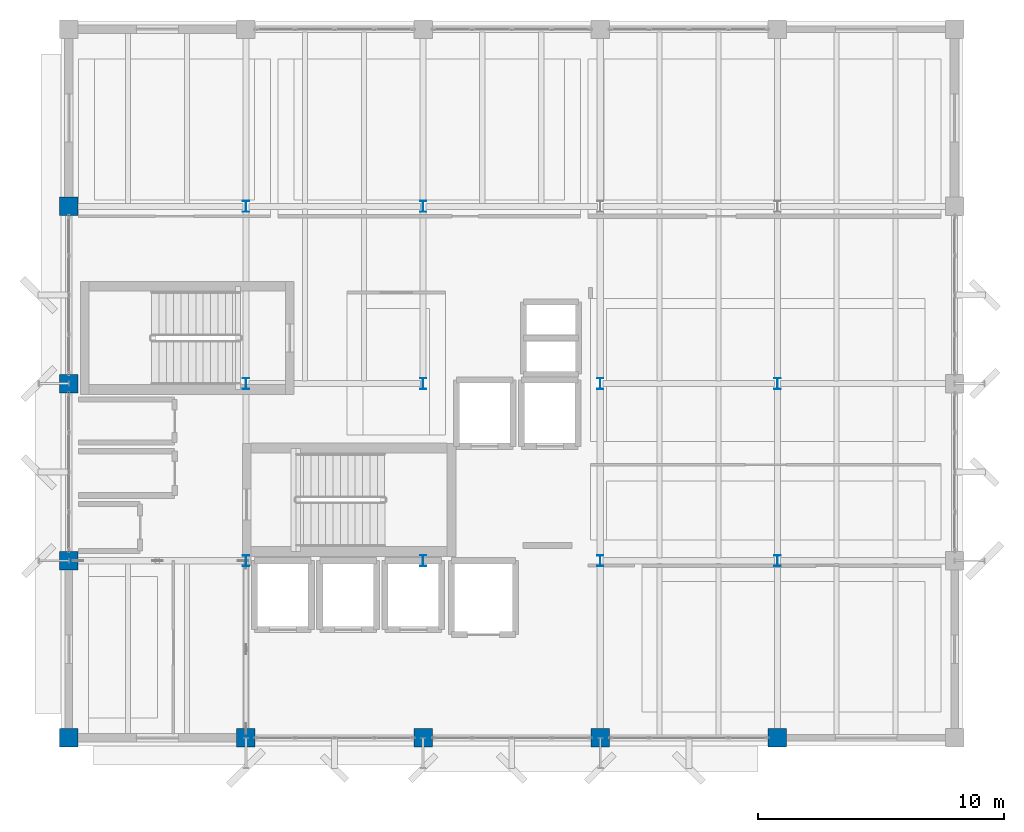
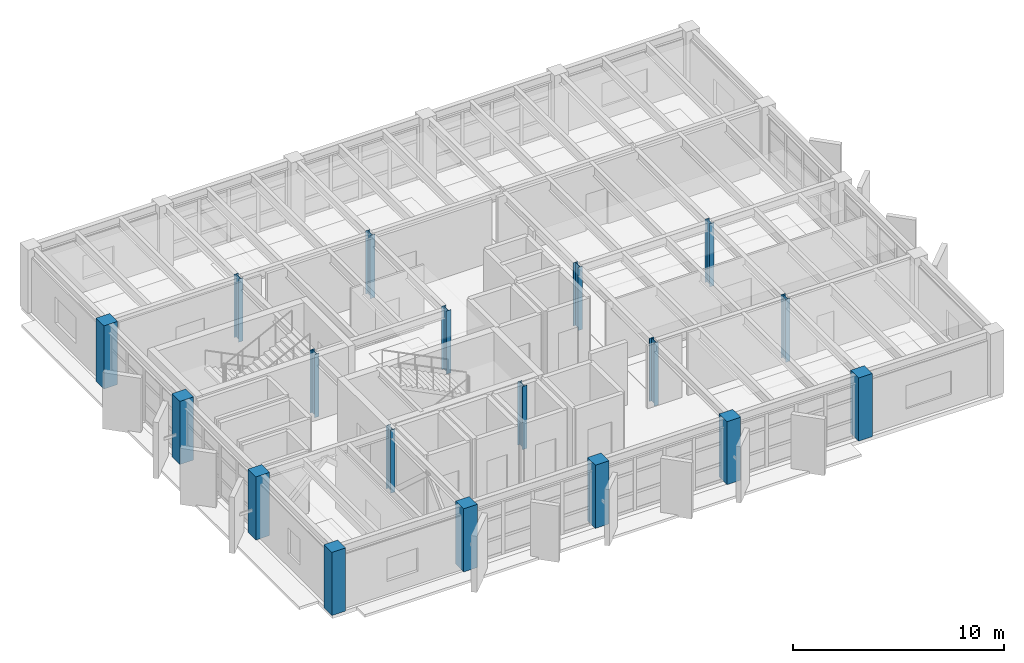
# One storey, part 1 of 24: 18 columns.
"""IFC4 building model written with IfcOpenShell, lengths in metres."""

import ifcopenshell
import ifcopenshell.guid

model = None  # the IFC model being written
_history = None  # IfcOwnerHistory: only IFC2X3 demands one
_inside = {}  # id of a spatial element -> (the spatial element, [elements in it])
_under = {}  # id of a project, library or spatial element -> (it, [spatial elements below it])
_declared = {}  # id of a project -> (the project, [libraries it declares])
_typed = {}  # id of a type object -> (the type object, [elements of that type])
_made_of = {}  # id of a material, layer set ... -> (it, [elements and type objects made of it])


def new_model(schema):
    """Start an empty IFC model of exactly this schema.

    Asked for "IFC4X3", IfcOpenShell would pick the latest addendum, in which some entities
    have other attributes; the version numbers below select the first issue.
    IFC2X3 requires an IfcOwnerHistory on every rooted entity: one is made here for all.
    """
    global model, _history
    if schema == "IFC4X3":
        model = ifcopenshell.file(schema_version=(4, 3, 0, 0))
    else:
        model = ifcopenshell.file(schema=schema)
    _inside.clear()
    _under.clear()
    _declared.clear()
    _typed.clear()
    _made_of.clear()
    _history = None
    if model.schema == "IFC2X3":
        org = make("IfcOrganization", Name="unknown")
        user = make(
            "IfcPersonAndOrganization",
            ThePerson=make("IfcPerson", FamilyName="unknown"),
            TheOrganization=org,
        )
        app = make(
            "IfcApplication",
            ApplicationDeveloper=org,
            Version="unknown",
            ApplicationFullName="unknown",
            ApplicationIdentifier="unknown",
        )
        _history = make(
            "IfcOwnerHistory",
            OwningUser=user,
            OwningApplication=app,
            ChangeAction="ADDED",
            CreationDate=0,
        )
    return model


def make(cls, **values):
    """One entity of the class cls with the attributes given. An attribute that is None is left unset."""
    return model.create_entity(
        cls, **{name: value for name, value in values.items() if value is not None}
    )


def rooted(cls, **values):
    """An entity with a GlobalId (a new one), such as an element, a storey or a relation."""
    return make(cls, GlobalId=ifcopenshell.guid.new(), OwnerHistory=_history, **values)


def si_unit(unit_type, name, prefix=None):
    """IfcSIUnit, for example si_unit("LENGTHUNIT", "METRE", prefix="MILLI")."""
    return make("IfcSIUnit", UnitType=unit_type, Prefix=prefix, Name=name)


def assignment(units):
    """IfcUnitAssignment: the units of a project."""
    return None if units is None else make("IfcUnitAssignment", Units=units)


def point(xyz):
    """IfcCartesianPoint."""
    return None if xyz is None else make("IfcCartesianPoint", Coordinates=xyz)


def direction(xyz):
    """IfcDirection."""
    return None if xyz is None else make("IfcDirection", DirectionRatios=xyz)


def frame(location, z_axis=None, x_axis=None):
    """IfcAxis2Placement3D, a coordinate frame: its origin and axes. An axis left out is left unset."""
    return make(
        "IfcAxis2Placement3D",
        Location=point(location),
        Axis=direction(z_axis),
        RefDirection=direction(x_axis),
    )


def frame_2d(location, x_axis=None):
    """IfcAxis2Placement2D, a coordinate frame in the plane: its origin and x axis."""
    return make(
        "IfcAxis2Placement2D", Location=point(location), RefDirection=direction(x_axis)
    )


def origin():
    """The frame at (0, 0, 0) with its axes left unset."""
    return frame((0.0, 0.0, 0.0))


def origin_2d():
    """The frame at (0, 0) in the plane with its x axis left unset."""
    return frame_2d((0.0, 0.0))


def place(relative_to, where):
    """IfcLocalPlacement: puts the frame where relative to a parent placement (None: the world)."""
    return make(
        "IfcLocalPlacement", PlacementRelTo=relative_to, RelativePlacement=where
    )


def context(
    kind, dimensions, precision=None, world=None, true_north=None, identifier=None
):
    """IfcGeometricRepresentationContext, for example the 3D "Model" context."""
    return make(
        "IfcGeometricRepresentationContext",
        ContextIdentifier=identifier,
        ContextType=kind,
        CoordinateSpaceDimension=dimensions,
        Precision=precision,
        WorldCoordinateSystem=world,
        TrueNorth=true_north,
    )


def subcontext(parent, identifier, kind, view, scale=None):
    """IfcGeometricRepresentationSubContext, for example "Body" below "Model"."""
    return make(
        "IfcGeometricRepresentationSubContext",
        ContextIdentifier=identifier,
        ContextType=kind,
        ParentContext=parent,
        TargetScale=scale,
        TargetView=view,
    )


def project(units=None, contexts=None):
    """IfcProject with its units and contexts."""
    return rooted(
        "IfcProject",
        Name="project",
        RepresentationContexts=contexts,
        UnitsInContext=assignment(units),
    )


def spatial(cls, under=None, at=None, **own):
    """A site, building, storey or space (cls), placed at a placement, below another one or the project."""
    s = rooted(cls, ObjectPlacement=at, **own)
    if under is not None:
        _under.setdefault(under.id(), (under, []))[1].append(s)
    return s


def profile(cls, at=None, kind="AREA", **sizes):
    """A parametric profile (cls). Its sizes go by their IFC names, for example OverallWidth=200.0."""
    return make(cls, ProfileType=kind, Position=at, **sizes)


def rectangle(**sizes):
    """IfcRectangleProfileDef."""
    return profile("IfcRectangleProfileDef", **sizes)


def i_section(**sizes):
    """IfcIShapeProfileDef."""
    return profile("IfcIShapeProfileDef", **sizes)


def extrude(swept, where, along, depth):
    """IfcExtrudedAreaSolid: the profile swept, set in the frame where, extruded along a direction by depth."""
    return make(
        "IfcExtrudedAreaSolid",
        SweptArea=swept,
        Position=where,
        ExtrudedDirection=direction(along),
        Depth=depth,
    )


def shape(context_of_items, identifier, shape_type, items):
    """IfcShapeRepresentation: the items that make up one representation, for example the "Body"."""
    return make(
        "IfcShapeRepresentation",
        ContextOfItems=context_of_items,
        RepresentationIdentifier=identifier,
        RepresentationType=shape_type,
        Items=items,
    )


def material(Name=None, Category=None):
    """IfcMaterial."""
    return make("IfcMaterial", Name=Name, Category=Category)


def material_profile(
    of_material, cross_section, Name=None, Category=None, Priority=None
):
    """IfcMaterialProfile: a cross section and its material."""
    return make(
        "IfcMaterialProfile",
        Name=Name,
        Material=of_material,
        Profile=cross_section,
        Priority=Priority,
        Category=Category,
    )


def profile_set(profiles, Name=None, composite=None):
    """IfcMaterialProfileSet."""
    return make(
        "IfcMaterialProfileSet",
        Name=Name,
        MaterialProfiles=profiles,
        CompositeProfile=composite,
    )


def made_of(thing, what):
    """Note that an element or type object is made of a material, layer set ...; save() writes the relation."""
    if what is not None:
        _made_of.setdefault(what.id(), (what, []))[1].append(thing)
    return thing


def type_object(cls, material=None, **own):
    """A type object (cls), such as IfcWallType, which elements share."""
    return made_of(rooted(cls, **own), material)


def element(
    cls,
    number,
    at=None,
    inside=None,
    cuts=None,
    type_object=None,
    material=None,
    context=None,
    identifier="Body",
    shape_type=None,
    held_by="IfcProductDefinitionShape",
    body=None,
    shapes=None,
    **own,
):
    """One element of the class cls, such as IfcWall. Its Tag is "e" and its number.

    at: its placement. inside: the storey or other place that contains it. cuts: it is an
    opening in that element (IfcRelVoidsElement). A single representation is given by context,
    identifier, shape_type and body (its items); several are given by shapes. held_by: the class
    of the entity that holds the representations. save() writes the other relations.
    """
    e = rooted(cls, Tag="e%d" % number, ObjectPlacement=at, **own)
    if body is not None:
        shapes = [shape(context, identifier, shape_type, body)]
    if shapes is not None:
        e.Representation = make(held_by, Representations=shapes)
    if inside is not None:
        _inside.setdefault(inside.id(), (inside, []))[1].append(e)
    if cuts is not None:
        rooted(
            "IfcRelVoidsElement", RelatingBuildingElement=cuts, RelatedOpeningElement=e
        )
    if type_object is not None:
        _typed.setdefault(type_object.id(), (type_object, []))[1].append(e)
    return made_of(e, material)


def aggregate(whole, parts):
    """IfcRelAggregates: a whole, such as a stair, and the parts it consists of."""
    return rooted("IfcRelAggregates", RelatingObject=whole, RelatedObjects=parts)


def save(model, path):
    """Write the relations noted so far, then the file.

    IfcRelAggregates (storeys below a building ...), IfcRelContainedInSpatialStructure (elements
    in a storey), IfcRelDefinesByType, IfcRelAssociatesMaterial and IfcRelDeclares: one each for
    every whole, place, type object, material and project.
    """
    for whole, parts in _under.values():
        aggregate(whole, parts)
    for where, things in _inside.values():
        rooted(
            "IfcRelContainedInSpatialStructure",
            RelatedElements=things,
            RelatingStructure=where,
        )
    for kind, things in _typed.values():
        rooted("IfcRelDefinesByType", RelatedObjects=things, RelatingType=kind)
    for what, things in _made_of.values():
        rooted("IfcRelAssociatesMaterial", RelatedObjects=things, RelatingMaterial=what)
    for by, libraries in _declared.values():
        rooted("IfcRelDeclares", RelatingContext=by, RelatedDefinitions=libraries)
    model.write(path)


model = new_model("IFC4")

# Units and contexts
model_context = context("Model", 3, precision=1e-05, world=origin(), true_north=direction((0.0, 1.0)))
body_context = subcontext(model_context, "Body", "Model", "MODEL_VIEW")
ifc_project = project(units=[si_unit("LENGTHUNIT", "METRE"), si_unit("AREAUNIT", "SQUARE_METRE"), si_unit("VOLUMEUNIT", "CUBIC_METRE"), si_unit("PLANEANGLEUNIT", "RADIAN"), si_unit("MASSUNIT", "GRAM", prefix="KILO")], contexts=[model_context])

# Site, building, storey
site_placement = place(None, origin())
site = spatial("IfcSite", under=ifc_project, at=site_placement, CompositionType="ELEMENT")
building_placement = place(site_placement, origin())
building = spatial("IfcBuilding", under=site, at=building_placement, Name="Kandorven Conservatory and Botanical Research Centre", CompositionType="ELEMENT")
storey_placement = place(building_placement, frame((0.0, 0.0, 24.89990234375)))
storey = spatial("IfcBuildingStorey", under=building, at=storey_placement, Name="L06", CompositionType="ELEMENT", Elevation=24.89990234375)

# Columns
ifc_material_1 = material(Name="Steel S355 (IS 2062 E350)", Category="steel")
ifc_material_profile_1 = material_profile(ifc_material_1, i_section(OverallWidth=0.25, OverallDepth=0.449951171875, WebThickness=0.01123046875, FlangeThickness=0.013671875, at=origin_2d()))
ifc_profile_set_1 = profile_set([ifc_material_profile_1], Name="Steel S355 (IS 2062 E350)")
column_type_1 = type_object("IfcColumnType", Name="Col_SC-01", PredefinedType="COLUMN", material=ifc_profile_set_1)
for number, where, z_axis, x_axis, name in (
    (1, (13.199951171875, 13.199951171875, 0.0), (0.0, 0.0, 1.0), (1.0, 0.0, 0.0), "Column SC-01 TWR L06 (2,2)"),
    (2, (13.199951171875, 20.39990234375, 0.0), (0.0, 0.0, 1.0), (1.0, 0.0, 0.0), "Column SC-01 TWR L06 (2,3)"),
    (3, (13.199951171875, 27.60009765625, 0.0), (0.0, 0.0, 1.0), (1.0, 0.0, 0.0), "Column SC-01 TWR L06 (2,4)"),
    (4, (20.39990234375, 13.199951171875, 0.0), (0.0, 0.0, 1.0), (1.0, 0.0, 0.0), "Column SC-01 TWR L06 (3,2)"),
    (5, (20.39990234375, 20.39990234375, 0.0), (0.0, 0.0, 1.0), (1.0, 0.0, 0.0), "Column SC-01 TWR L06 (3,3)"),
    (6, (20.39990234375, 27.60009765625, 0.0), (0.0, 0.0, 1.0), (1.0, 0.0, 0.0), "Column SC-01 TWR L06 (3,4)"),
    (7, (27.60009765625, 13.199951171875, 0.0), (0.0, 0.0, 1.0), (1.0, 0.0, 0.0), "Column SC-01 TWR L06 (4,2)"),
    (8, (27.60009765625, 20.39990234375, 0.0), (0.0, 0.0, 1.0), (1.0, 0.0, 0.0), "Column SC-01 TWR L06 (4,3)"),
    (9, (34.800048828125, 13.199951171875, 0.0), (0.0, 0.0, 1.0), (1.0, 0.0, 0.0), "Column SC-01 TWR L06 (5,2)"),
    (10, (34.800048828125, 20.39990234375, 0.0), (0.0, 0.0, 1.0), (1.0, 0.0, 0.0), "Column SC-01 TWR L06 (5,3)"),
):
    element("IfcColumn", number, at=place(storey_placement, frame(where, z_axis=z_axis, x_axis=x_axis)), inside=storey, type_object=column_type_1, Name=name, PredefinedType="COLUMN", context=body_context, shape_type="SweptSolid", body=[
        extrude(i_section(OverallWidth=0.25, OverallDepth=0.449951171875, WebThickness=0.01123046875, FlangeThickness=0.013671875, at=origin_2d()), origin(), (0.0, 0.0, 1.0), 3.650146484375),
    ])
ifc_material_2 = material(Name="Concrete C40/50 (M50)", Category="concrete")
ifc_material_profile_2 = material_profile(ifc_material_2, rectangle(XDim=0.75, YDim=0.75, at=origin_2d()))
ifc_profile_set_2 = profile_set([ifc_material_profile_2], Name="Concrete C40/50 (M50)")
column_type_2 = type_object("IfcColumnType", Name="Col_TC-03", PredefinedType="COLUMN", material=ifc_profile_set_2)
for number, where, z_axis, x_axis, name in (
    (11, (6.0, 6.0, 0.0), (0.0, 0.0, 1.0), (1.0, 0.0, 0.0), "Column TC-03 TWR L06 (1,1)"),
    (12, (6.0, 13.199951171875, 0.0), (0.0, 0.0, 1.0), (1.0, 0.0, 0.0), "Column TC-03 TWR L06 (1,2)"),
    (13, (6.0, 20.39990234375, 0.0), (0.0, 0.0, 1.0), (1.0, 0.0, 0.0), "Column TC-03 TWR L06 (1,3)"),
    (14, (6.0, 27.60009765625, 0.0), (0.0, 0.0, 1.0), (1.0, 0.0, 0.0), "Column TC-03 TWR L06 (1,4)"),
    (15, (13.199951171875, 6.0, 0.0), (0.0, 0.0, 1.0), (1.0, 0.0, 0.0), "Column TC-03 TWR L06 (2,1)"),
    (16, (20.39990234375, 6.0, 0.0), (0.0, 0.0, 1.0), (1.0, 0.0, 0.0), "Column TC-03 TWR L06 (3,1)"),
    (17, (27.60009765625, 6.0, 0.0), (0.0, 0.0, 1.0), (1.0, 0.0, 0.0), "Column TC-03 TWR L06 (4,1)"),
    (18, (34.800048828125, 6.0, 0.0), (0.0, 0.0, 1.0), (1.0, 0.0, 0.0), "Column TC-03 TWR L06 (5,1)"),
):
    element("IfcColumn", number, at=place(storey_placement, frame(where, z_axis=z_axis, x_axis=x_axis)), inside=storey, type_object=column_type_2, Name=name, PredefinedType="COLUMN", context=body_context, shape_type="SweptSolid", body=[
        extrude(rectangle(XDim=0.75, YDim=0.75, at=origin_2d()), origin(), (0.0, 0.0, 1.0), 3.650146484375),
    ])

save(model, "model.ifc")
